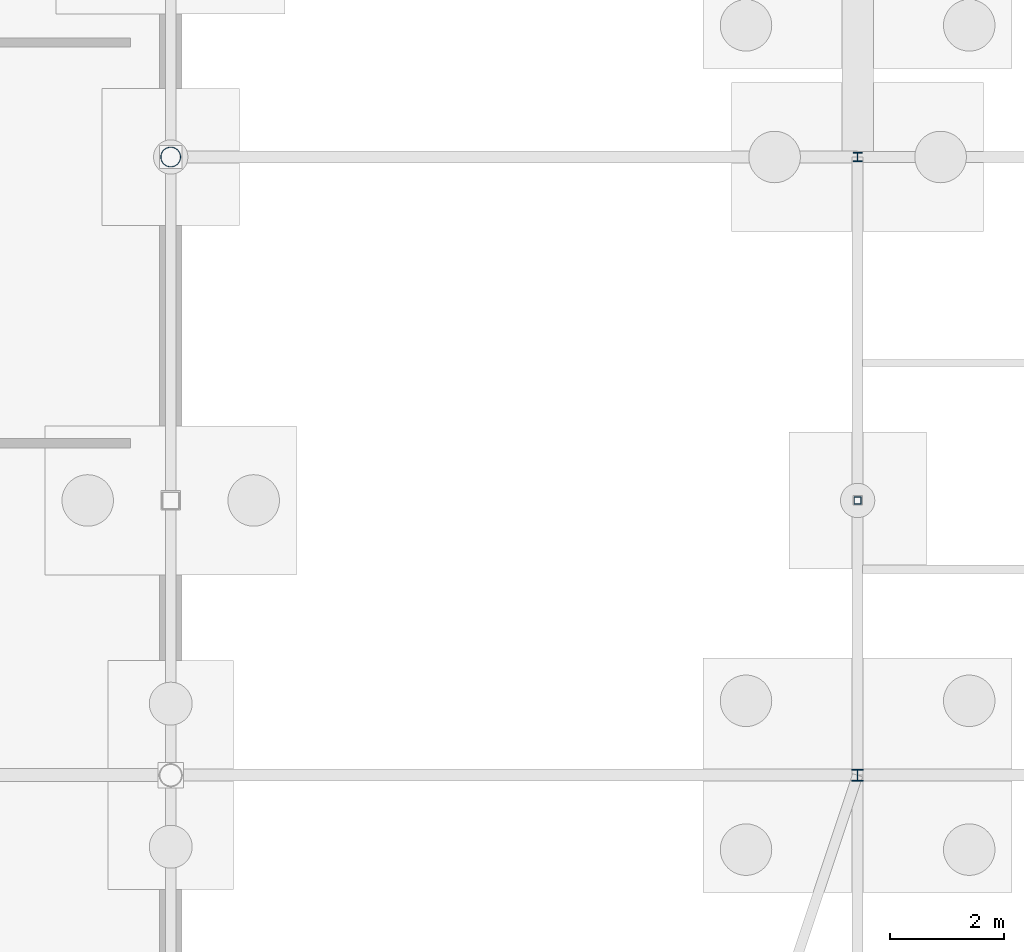
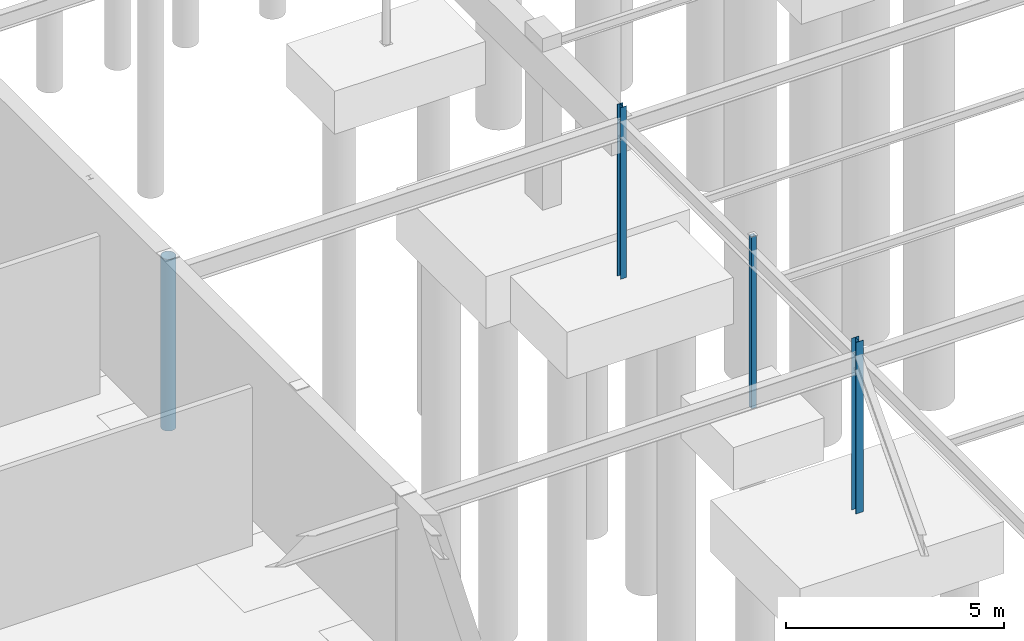
# One storey, part 62 of 136: 4 columns.
"""IFC4 building model written with IfcOpenShell, lengths in metres."""

from ifc_helpers import new_model, si_unit, direction, frame, origin, origin_2d, place, context, subcontext, project, spatial, hollow_rectangle, hollow_circle, i_section, extrude, material, material_profile, profile_set, type_object, element, save


model = new_model("IFC4")

# Units and contexts
model_context = context("Model", 3, precision=1e-05, world=origin(), true_north=direction((0.0, 1.0)))
body_context = subcontext(model_context, "Body", "Model", "MODEL_VIEW")
ifc_project = project(units=[si_unit("LENGTHUNIT", "METRE"), si_unit("AREAUNIT", "SQUARE_METRE"), si_unit("VOLUMEUNIT", "CUBIC_METRE"), si_unit("PLANEANGLEUNIT", "RADIAN"), si_unit("MASSUNIT", "GRAM", prefix="KILO")], contexts=[model_context])

# Site, building, storey
site_placement = place(None, origin())
site = spatial("IfcSite", under=ifc_project, at=site_placement, CompositionType="ELEMENT")
building_placement = place(site_placement, origin())
building = spatial("IfcBuilding", under=site, at=building_placement, Name="Tarnwether General Hospital", CompositionType="ELEMENT")
storey_placement = place(building_placement, frame((0.0, 0.0, -4.800048828125)))
storey = spatial("IfcBuildingStorey", under=building, at=storey_placement, Name="LG", CompositionType="ELEMENT", Elevation=-4.800048828125)

# Columns
ifc_material_1 = material(Name="Steel Grade C350L0 (350 MPa)", Category="steel")
ifc_material_profile_1 = material_profile(ifc_material_1, hollow_circle(Radius=0.177734375, WallThickness=0.0126953125, at=origin_2d()), Name="CHS355.6x12.7")
ifc_profile_set_1 = profile_set([ifc_material_profile_1], Name="Steel Grade C350L0 (350 MPa)")
column_type_1 = type_object("IfcColumnType", Name="COL-11", PredefinedType="COLUMN", material=ifc_profile_set_1)
column_1_placement = place(storey_placement, frame((132.0, 104.39990234375, 0.0), z_axis=(0.0, 0.0, 1.0), x_axis=(0.0, 1.0, 0.0)))
element("IfcColumn", 1, at=column_1_placement, inside=storey, type_object=column_type_1, Name="Column COLG-LG-13200_10440", PredefinedType="COLUMN", context=body_context, shape_type="SweptSolid", body=[
    extrude(hollow_circle(Radius=0.177734375, WallThickness=0.0126953125, at=origin_2d()), origin(), (0.0, 0.0, 1.0), 4.800048828125),
])
ifc_material_2 = material(Name="Steel Grade 350 (350 MPa)", Category="steel")
ifc_material_profile_2 = material_profile(ifc_material_2, i_section(OverallWidth=0.202880859375, OverallDepth=0.202880859375, WebThickness=0.00732421875, FlangeThickness=0.010986328125, at=origin_2d()), Name="200UC46.2")
ifc_profile_set_2 = profile_set([ifc_material_profile_2], Name="Steel Grade 350 (350 MPa)")
column_type_2 = type_object("IfcColumnType", Name="COL-27", PredefinedType="COLUMN", material=ifc_profile_set_2)
column_2_placement = place(storey_placement, frame((144.0, 93.60009765625, 0.0), z_axis=(0.0, 0.0, 1.0), x_axis=(1.0, 0.0, 0.0)))
element("IfcColumn", 2, at=column_2_placement, inside=storey, type_object=column_type_2, Name="Column COLG-LG-14400_9360", PredefinedType="COLUMN", context=body_context, shape_type="SweptSolid", body=[
    extrude(i_section(OverallWidth=0.202880859375, OverallDepth=0.202880859375, WebThickness=0.00732421875, FlangeThickness=0.010986328125, at=origin_2d()), origin(), (0.0, 0.0, 1.0), 4.800048828125),
])
ifc_material_3 = material(Name="Steel Grade 350 (350 MPa)", Category="steel")
ifc_material_profile_3 = material_profile(ifc_material_3, i_section(OverallWidth=0.154052734375, OverallDepth=0.162109375, WebThickness=0.008056640625, FlangeThickness=0.011474609375, at=origin_2d()), Name="150UC37.2")
ifc_profile_set_3 = profile_set([ifc_material_profile_3], Name="Steel Grade 350 (350 MPa)")
column_type_3 = type_object("IfcColumnType", Name="COL-28", PredefinedType="COLUMN", material=ifc_profile_set_3)
column_3_placement = place(storey_placement, frame((144.0, 104.39990234375, 0.0), z_axis=(0.0, 0.0, 1.0), x_axis=(1.0, 0.0, 0.0)))
element("IfcColumn", 3, at=column_3_placement, inside=storey, type_object=column_type_3, Name="Column COLG-LG-14400_10440", PredefinedType="COLUMN", context=body_context, shape_type="SweptSolid", body=[
    extrude(i_section(OverallWidth=0.154052734375, OverallDepth=0.162109375, WebThickness=0.008056640625, FlangeThickness=0.011474609375, at=origin_2d()), origin(), (0.0, 0.0, 1.0), 4.800048828125),
])
ifc_material_4 = material(Name="Steel Grade C350L0 (350 MPa)", Category="steel")
ifc_material_profile_4 = material_profile(ifc_material_4, hollow_rectangle(XDim=0.125, YDim=0.125, WallThickness=0.006103515625, at=origin_2d()), Name="SHS125x125x6")
ifc_profile_set_4 = profile_set([ifc_material_profile_4], Name="Steel Grade C350L0 (350 MPa)")
column_type_4 = type_object("IfcColumnType", Name="COL-34", PredefinedType="COLUMN", material=ifc_profile_set_4)
column_4_placement = place(storey_placement, frame((144.0, 98.39990234375, 0.0), z_axis=(0.0, 0.0, 1.0), x_axis=(1.0, 0.0, 0.0)))
element("IfcColumn", 4, at=column_4_placement, inside=storey, type_object=column_type_4, Name="Column COLG-LG-14400_9840", PredefinedType="COLUMN", context=body_context, shape_type="SweptSolid", body=[
    extrude(hollow_rectangle(XDim=0.125, YDim=0.125, WallThickness=0.006103515625, at=origin_2d()), origin(), (0.0, 0.0, 1.0), 4.800048828125),
])

save(model, "model.ifc")
